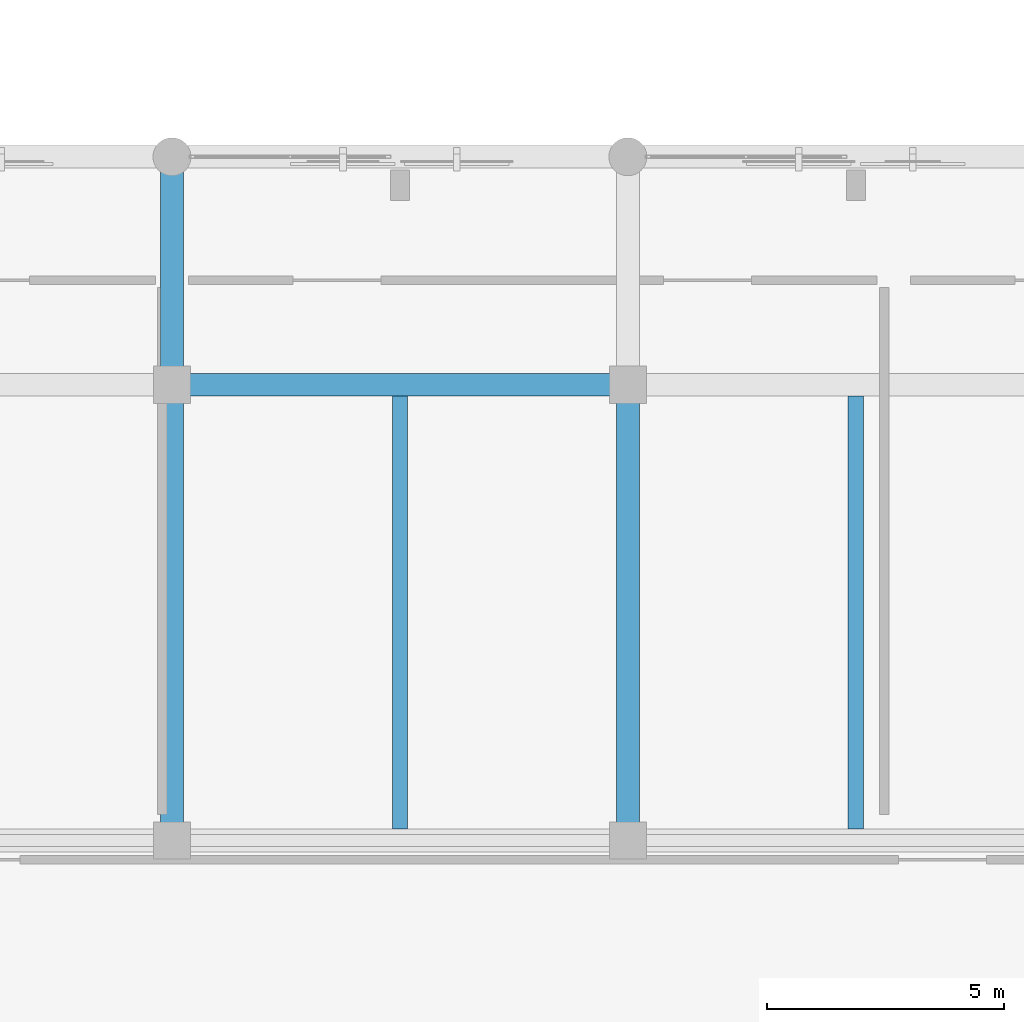
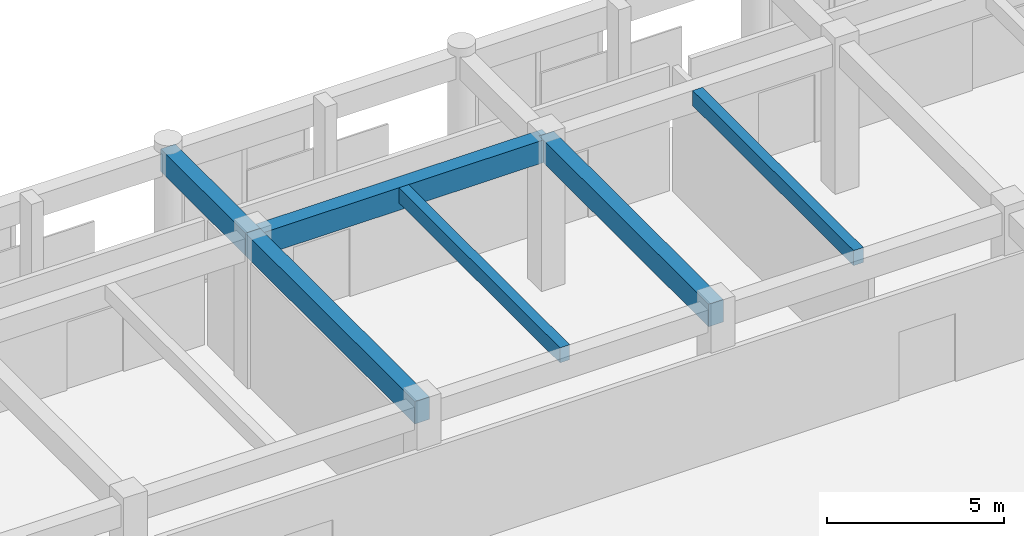
# One storey, part 30 of 134: 6 beams.
"""IFC4 building model written with IfcOpenShell, lengths in metres."""

from ifc_helpers import new_model, si_unit, direction, frame, origin, origin_2d, place, context, subcontext, project, spatial, rectangle, extrude, material, material_profile, profile_set, type_object, element, save


model = new_model("IFC4")

# Units and contexts
model_context = context("Model", 3, precision=1e-05, world=origin(), true_north=direction((0.0, 1.0)))
body_context = subcontext(model_context, "Body", "Model", "MODEL_VIEW")
ifc_project = project(units=[si_unit("LENGTHUNIT", "METRE"), si_unit("AREAUNIT", "SQUARE_METRE"), si_unit("VOLUMEUNIT", "CUBIC_METRE"), si_unit("PLANEANGLEUNIT", "RADIAN"), si_unit("MASSUNIT", "GRAM", prefix="KILO")], contexts=[model_context])

# Site, building, storey
site_placement = place(None, origin())
site = spatial("IfcSite", under=ifc_project, at=site_placement, CompositionType="ELEMENT")
building_placement = place(site_placement, origin())
building = spatial("IfcBuilding", under=site, at=building_placement, Name="Nakhvara Creek Congress Hotel", CompositionType="ELEMENT")
storey_placement = place(building_placement, frame((0.0, 0.0, 6.0)))
storey = spatial("IfcBuildingStorey", under=building, at=storey_placement, Name="L01", CompositionType="ELEMENT", Elevation=6.0)

# Beams
ifc_material = material(Name="Concrete C40/50", Category="concrete")
ifc_material_profile_1 = material_profile(ifc_material, rectangle(XDim=0.320068359375, YDim=0.52001953125, at=origin_2d()), Name="RC-BM 320x520", Category="LoadBearing")
ifc_profile_set_1 = profile_set([ifc_material_profile_1], Name="Concrete C40/50")
beam_type_1 = type_object("IfcBeamType", Name="BM-RC-320X520", PredefinedType="JOIST", material=ifc_profile_set_1)
for number, where, z_axis, x_axis, name in (
    (1, (100.800048828125, 29.0400390625, 4.840087890625), (0.0, 1.0, 0.0), (-1.0, 0.0, 0.0), "Secondary Joist BJ2-L01-1375"),
    (2, (110.39990234375, 29.0400390625, 4.840087890625), (0.0, 1.0, 0.0), (-1.0, 0.0, 0.0), "Secondary Joist BJ2-L01-1379"),
):
    element("IfcBeam", number, at=place(storey_placement, frame(where, z_axis=z_axis, x_axis=x_axis)), inside=storey, type_object=beam_type_1, Name=name, PredefinedType="JOIST", context=body_context, shape_type="SweptSolid", body=[
        extrude(rectangle(XDim=0.320068359375, YDim=0.52001953125, at=origin_2d()), origin(), (0.0, 0.0, 1.0), 9.119873046875),
    ])
ifc_material_profile_2 = material_profile(ifc_material, rectangle(XDim=0.47998046875, YDim=0.780029296875, at=origin_2d()), Name="RC-BM 480x780", Category="LoadBearing")
ifc_profile_set_2 = profile_set([ifc_material_profile_2], Name="Concrete C40/50")
beam_type_2 = type_object("IfcBeamType", Name="BM-RC-480X780", PredefinedType="BEAM", material=ifc_profile_set_2)
beam_1_placement = place(storey_placement, frame((96.0, 28.800048828125, 4.7099609375), z_axis=(0.0, 1.0, 0.0), x_axis=(-1.0, 0.0, 0.0)))
element("IfcBeam", 3, at=beam_1_placement, inside=storey, type_object=beam_type_2, Name="Beam B13-L01-1180", PredefinedType="BEAM", context=body_context, shape_type="SweptSolid", body=[
    extrude(rectangle(XDim=0.47998046875, YDim=0.780029296875, at=origin_2d()), origin(), (0.0, 0.0, 1.0), 9.599853515625),
])
beam_2_placement = place(storey_placement, frame((96.0, 38.39990234375, 4.7099609375), z_axis=(0.0, 1.0, 0.0), x_axis=(-1.0, 0.0, 0.0)))
element("IfcBeam", 4, at=beam_2_placement, inside=storey, type_object=beam_type_2, Name="Beam B13-L01-1182", PredefinedType="BEAM", context=body_context, shape_type="SweptSolid", body=[
    extrude(rectangle(XDim=0.47998046875, YDim=0.780029296875, at=origin_2d()), origin(), (0.0, 0.0, 1.0), 4.800048828125),
])
beam_3_placement = place(storey_placement, frame((96.0, 38.39990234375, 4.7099609375), z_axis=(1.0, 0.0, 0.0), x_axis=(0.0, 1.0, 0.0)))
element("IfcBeam", 5, at=beam_3_placement, inside=storey, type_object=beam_type_2, Name="Beam B13-L01-1183", PredefinedType="BEAM", context=body_context, shape_type="SweptSolid", body=[
    extrude(rectangle(XDim=0.47998046875, YDim=0.780029296875, at=origin_2d()), origin(), (0.0, 0.0, 1.0), 9.60009765625),
])
beam_4_placement = place(storey_placement, frame((105.60009765625, 28.800048828125, 4.7099609375), z_axis=(0.0, 1.0, 0.0), x_axis=(-1.0, 0.0, 0.0)))
element("IfcBeam", 6, at=beam_4_placement, inside=storey, type_object=beam_type_2, Name="Beam B13-L01-1193", PredefinedType="BEAM", context=body_context, shape_type="SweptSolid", body=[
    extrude(rectangle(XDim=0.47998046875, YDim=0.780029296875, at=origin_2d()), origin(), (0.0, 0.0, 1.0), 9.599853515625),
])

save(model, "model.ifc")
